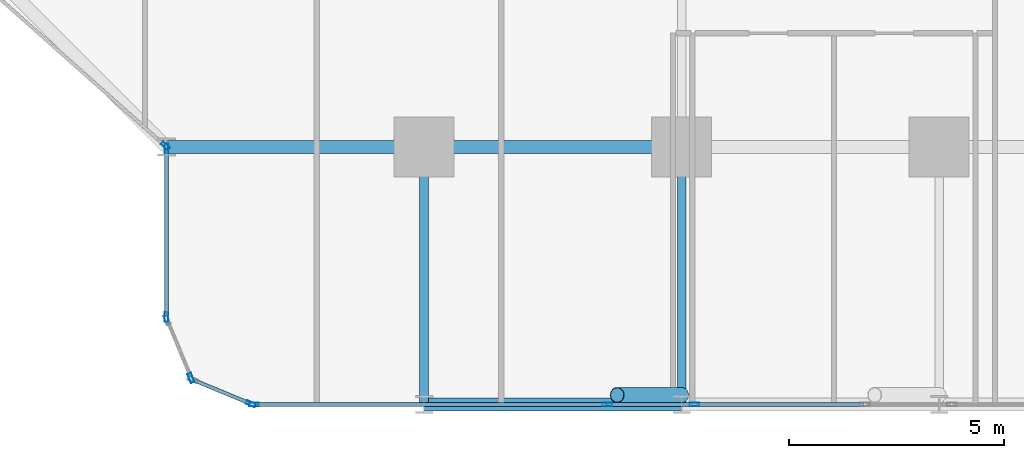
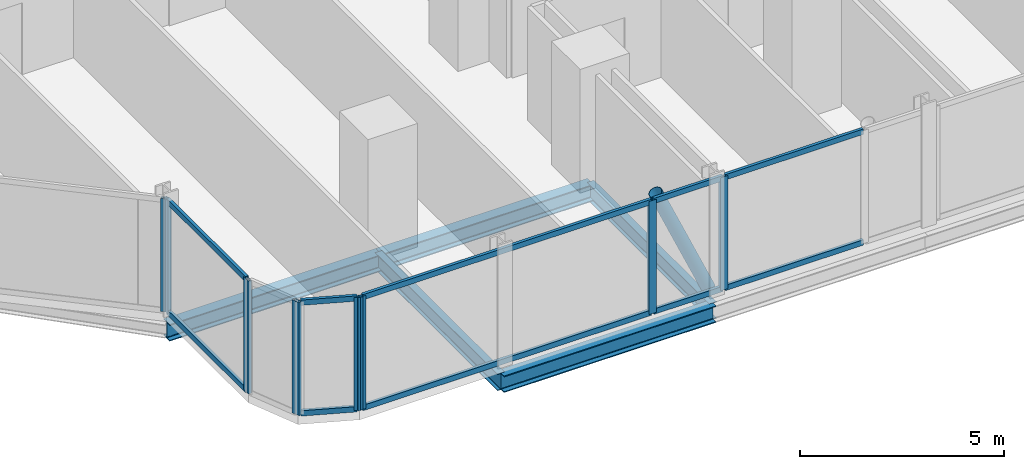
# One storey, part 3 of 33: 19 members, 5 beams, 7 elements without a shape of their own.
"""IFC4 building model written with IfcOpenShell, lengths in metres."""

from ifc_helpers import new_model, si_unit, direction, frame, origin, origin_2d, place, context, subcontext, project, spatial, hollow_rectangle, hollow_circle, i_section, extrude, material, layer, layer_set, material_profile, profile_set, type_object, element, aggregate, save


model = new_model("IFC4")

# Units and contexts
model_context = context("Model", 3, precision=1e-05, world=origin(), true_north=direction((0.0, 1.0)))
body_context = subcontext(model_context, "Body", "Model", "MODEL_VIEW")
ifc_project = project(units=[si_unit("LENGTHUNIT", "METRE"), si_unit("AREAUNIT", "SQUARE_METRE"), si_unit("VOLUMEUNIT", "CUBIC_METRE"), si_unit("PLANEANGLEUNIT", "RADIAN"), si_unit("MASSUNIT", "GRAM", prefix="KILO")], contexts=[model_context])

# Site, building, storey
site_placement = place(None, origin())
site = spatial("IfcSite", under=ifc_project, at=site_placement, CompositionType="ELEMENT")
building_placement = place(site_placement, origin())
building = spatial("IfcBuilding", under=site, at=building_placement, Name="Keshet Zoharim Tower", CompositionType="ELEMENT")
storey_placement = place(building_placement, frame((0.0, 0.0, 49.89990234375)))
storey = spatial("IfcBuildingStorey", under=building, at=storey_placement, Name="L11", CompositionType="ELEMENT", Elevation=49.89990234375)

# Beams
ifc_material_1 = material(Name="Steel S355", Category="steel")
ifc_material_profile_1 = material_profile(ifc_material_1, i_section(OverallWidth=0.199951171875, OverallDepth=0.5, WebThickness=0.01025390625, FlangeThickness=0.01611328125, FilletRadius=0.02099609375, at=origin_2d()), Name="IPE500")
ifc_profile_set_1 = profile_set([ifc_material_profile_1], Name="Steel S355")
beam_type_1 = type_object("IfcBeamType", Name="BM-PRI-IP500", PredefinedType="BEAM", material=ifc_profile_set_1)
for number, where, z_axis, x_axis, name in (
    (1, (27.0, 0.699951171875, -0.56494140625), (0.0, 1.0, 0.0), (-1.0, 0.0, 0.0), "L11 Primary Girder Y-004"),
    (2, (33.0, 0.699951171875, -0.56494140625), (0.0, 1.0, 0.0), (-1.0, 0.0, 0.0), "L11 Primary Girder Y-005"),
):
    element("IfcBeam", number, at=place(storey_placement, frame(where, z_axis=z_axis, x_axis=x_axis)), inside=storey, type_object=beam_type_1, Name=name, PredefinedType="BEAM", context=body_context, shape_type="SweptSolid", body=[
        extrude(i_section(OverallWidth=0.199951171875, OverallDepth=0.5, WebThickness=0.01025390625, FlangeThickness=0.01611328125, FilletRadius=0.02099609375, at=origin_2d()), origin(), (0.0, 0.0, 1.0), 6.0),
    ])
ifc_material_profile_2 = material_profile(ifc_material_1, i_section(OverallWidth=0.300048828125, OverallDepth=0.5, WebThickness=0.014404296875, FlangeThickness=0.028076171875, FilletRadius=0.027099609375, at=origin_2d()), Name="HEB500")
ifc_profile_set_2 = profile_set([ifc_material_profile_2], Name="Steel S355")
beam_type_2 = type_object("IfcBeamType", Name="BM-WEB-HB500", PredefinedType="BEAM", material=ifc_profile_set_2)
for number, where, z_axis, x_axis, name in (
    (3, (27.0, 0.699951171875, -0.56494140625), (1.0, 0.0, 0.0), (0.0, 1.0, 0.0), "L11 Primary Girder X-001"),
    (4, (21.0, 6.699951171875, -0.56494140625), (1.0, 0.0, 0.0), (0.0, 1.0, 0.0), "L11 Primary Girder X-006"),
    (5, (27.0, 6.699951171875, -0.56494140625), (1.0, 0.0, 0.0), (0.0, 1.0, 0.0), "L11 Primary Girder X-007"),
):
    element("IfcBeam", number, at=place(storey_placement, frame(where, z_axis=z_axis, x_axis=x_axis)), inside=storey, type_object=beam_type_2, Name=name, PredefinedType="BEAM", context=body_context, shape_type="SweptSolid", body=[
        extrude(i_section(OverallWidth=0.300048828125, OverallDepth=0.5, WebThickness=0.014404296875, FlangeThickness=0.028076171875, FilletRadius=0.027099609375, at=origin_2d()), origin(), (0.0, 0.0, 1.0), 6.0),
    ])

# Curtain wall, member
ifc_material_2 = material(Name="Aluminium 6063-T6", Category="aluminium")
ifc_layer = layer(ifc_material_2, 0.179931640625)
ifc_layer_set = layer_set([ifc_layer], Name="Aluminium 6063-T6")
curtain_wall_type = type_object("IfcCurtainWallType", Name="CW-SYS-01", PredefinedType="NOTDEFINED", material=ifc_layer_set)
curtain_wall_1_placement = place(storey_placement, origin())
curtain_wall_1 = element("IfcCurtainWall", 6, at=curtain_wall_1_placement, inside=storey, type_object=curtain_wall_type, Name="L11 Unitised Curtain Wall 01", PredefinedType="NOTDEFINED")
ifc_material_profile_3 = material_profile(ifc_material_2, hollow_rectangle(XDim=0.090087890625, YDim=0.219970703125, WallThickness=0.0048828125, at=origin_2d()), Name="MUL-90x220")
ifc_profile_set_3 = profile_set([ifc_material_profile_3], Name="Aluminium 6063-T6")
member_type_1 = type_object("IfcMemberType", Name="CWM-M22", PredefinedType="MULLION", material=ifc_profile_set_3)
member_1_placement = place(storey_placement, frame((20.973876953125, 6.72314453125, 0.0), z_axis=(0.0, 0.0, 1.0), x_axis=(-0.664363838836, -0.747409318679, 0.0)))
member_1 = element("IfcMember", 7, at=member_1_placement, type_object=member_type_1, Name="CW-01 mullion 1", PredefinedType="MULLION", context=body_context, shape_type="SweptSolid", body=[
    extrude(hollow_rectangle(XDim=0.090087890625, YDim=0.219970703125, WallThickness=0.0048828125, at=origin_2d()), origin(), (0.0, 0.0, 1.0), 3.385009765625),
])
aggregate(curtain_wall_1, [member_1])

curtain_wall_2_placement = place(storey_placement, origin())
curtain_wall_2 = element("IfcCurtainWall", 8, at=curtain_wall_2_placement, inside=storey, type_object=curtain_wall_type, Name="L11 Unitised Curtain Wall 26 Part 3", PredefinedType="NOTDEFINED")
member_2_placement = place(storey_placement, frame((33.297607421875, 0.699951171875, 0.0), z_axis=(0.0, 0.0, 1.0), x_axis=(0.0, -1.0, 0.0)))
member_2 = element("IfcMember", 9, at=member_2_placement, type_object=member_type_1, Name="CW-01 mullion 2", PredefinedType="MULLION", context=body_context, shape_type="SweptSolid", body=[
    extrude(hollow_rectangle(XDim=0.090087890625, YDim=0.219970703125, WallThickness=0.0048828125, at=origin_2d()), origin(), (0.0, 0.0, 1.0), 3.385009765625),
])

curtain_wall_3_placement = place(storey_placement, origin())
curtain_wall_3 = element("IfcCurtainWall", 10, at=curtain_wall_3_placement, inside=storey, type_object=curtain_wall_type, Name="L11 Unitised Curtain Wall 26 Part 4", PredefinedType="NOTDEFINED")
member_3_placement = place(storey_placement, frame((31.2724609375, 0.699951171875, 0.0), z_axis=(0.0, 0.0, 1.0), x_axis=(0.0, -1.0, 0.0)))
member_3 = element("IfcMember", 11, at=member_3_placement, type_object=member_type_1, Name="CW-01 mullion 2", PredefinedType="MULLION", context=body_context, shape_type="SweptSolid", body=[
    extrude(hollow_rectangle(XDim=0.090087890625, YDim=0.219970703125, WallThickness=0.0048828125, at=origin_2d()), origin(), (0.0, 0.0, 1.0), 3.385009765625),
])

curtain_wall_4_placement = place(storey_placement, origin())
curtain_wall_4 = element("IfcCurtainWall", 12, at=curtain_wall_4_placement, inside=storey, type_object=curtain_wall_type, Name="L11 Unitised Curtain Wall 26 Part 5", PredefinedType="NOTDEFINED")
member_4_placement = place(storey_placement, frame((23.034912109375, 0.699951171875, 0.0), z_axis=(0.0, 0.0, 1.0), x_axis=(0.0, -1.0, 0.0)))
member_4 = element("IfcMember", 13, at=member_4_placement, type_object=member_type_1, Name="CW-01 mullion 2", PredefinedType="MULLION", context=body_context, shape_type="SweptSolid", body=[
    extrude(hollow_rectangle(XDim=0.090087890625, YDim=0.219970703125, WallThickness=0.0048828125, at=origin_2d()), origin(), (0.0, 0.0, 1.0), 3.385009765625),
])

curtain_wall_5_placement = place(storey_placement, origin())
curtain_wall_5 = element("IfcCurtainWall", 14, at=curtain_wall_5_placement, inside=storey, type_object=curtain_wall_type, Name="L11 Unitised Curtain Wall 27", PredefinedType="NOTDEFINED")
member_5_placement = place(storey_placement, frame((22.9677734375, 0.71337890625, 0.0), z_axis=(0.0, 0.0, 1.0), x_axis=(-0.382851849847, -0.92380975372, 0.0)))
member_5 = element("IfcMember", 15, at=member_5_placement, type_object=member_type_1, Name="CW-01 mullion 1", PredefinedType="MULLION", context=body_context, shape_type="SweptSolid", body=[
    extrude(hollow_rectangle(XDim=0.090087890625, YDim=0.219970703125, WallThickness=0.0048828125, at=origin_2d()), origin(), (0.0, 0.0, 1.0), 3.385009765625),
])

curtain_wall_6_placement = place(storey_placement, origin())
curtain_wall_6 = element("IfcCurtainWall", 16, at=curtain_wall_6_placement, inside=storey, type_object=curtain_wall_type, Name="L11 Unitised Curtain Wall 28", PredefinedType="NOTDEFINED")
member_6_placement = place(storey_placement, frame((21.572509765625, 1.318359375, 0.0), z_axis=(0.0, 0.0, 1.0), x_axis=(-0.92380975372, -0.382851849847, 0.0)))
member_6 = element("IfcMember", 17, at=member_6_placement, type_object=member_type_1, Name="CW-01 mullion 1", PredefinedType="MULLION", context=body_context, shape_type="SweptSolid", body=[
    extrude(hollow_rectangle(XDim=0.090087890625, YDim=0.219970703125, WallThickness=0.0048828125, at=origin_2d()), origin(), (0.0, 0.0, 1.0), 3.385009765625),
])
aggregate(curtain_wall_6, [member_6])

# Curtain wall, members
curtain_wall_7_placement = place(storey_placement, origin())
curtain_wall_7 = element("IfcCurtainWall", 18, at=curtain_wall_7_placement, inside=storey, type_object=curtain_wall_type, Name="L11 Unitised Curtain Wall 29", PredefinedType="NOTDEFINED")
member_7_placement = place(storey_placement, frame((21.0, 2.735107421875, 0.0), z_axis=(0.0, 0.0, 1.0), x_axis=(-1.0, 0.0, 0.0)))
member_7 = element("IfcMember", 19, at=member_7_placement, type_object=member_type_1, Name="CW-01 mullion 1", PredefinedType="MULLION", context=body_context, shape_type="SweptSolid", body=[
    extrude(hollow_rectangle(XDim=0.090087890625, YDim=0.219970703125, WallThickness=0.0048828125, at=origin_2d()), origin(), (0.0, 0.0, 1.0), 3.385009765625),
])
member_8_placement = place(storey_placement, frame((21.0, 6.6650390625, 0.0), z_axis=(0.0, 0.0, 1.0), x_axis=(-1.0, 0.0, 0.0)))
member_8 = element("IfcMember", 20, at=member_8_placement, type_object=member_type_1, Name="CW-01 mullion 2", PredefinedType="MULLION", context=body_context, shape_type="SweptSolid", body=[
    extrude(hollow_rectangle(XDim=0.090087890625, YDim=0.219970703125, WallThickness=0.0048828125, at=origin_2d()), origin(), (0.0, 0.0, 1.0), 3.385009765625),
])

# Member
ifc_material_profile_4 = material_profile(ifc_material_2, hollow_rectangle(XDim=0.0849609375, YDim=0.159912109375, WallThickness=0.00439453125, at=origin_2d()), Name="TRN-85x160")
ifc_profile_set_4 = profile_set([ifc_material_profile_4], Name="Aluminium 6063-T6")
member_type_2 = type_object("IfcMemberType", Name="CWT-T16", PredefinedType="USERDEFINED", material=ifc_profile_set_4)
member_9_placement = place(storey_placement, frame((37.2373046875, 0.699951171875, 0.03515625), z_axis=(-1.0, 0.0, 0.0), x_axis=(0.0, -1.0, 0.0)))
member_9 = element("IfcMember", 21, at=member_9_placement, type_object=member_type_2, Name="CW-01 transom 1.1", ObjectType="TRANSOM", PredefinedType="USERDEFINED", context=body_context, shape_type="SweptSolid", body=[
    extrude(hollow_rectangle(XDim=0.0849609375, YDim=0.159912109375, WallThickness=0.00439453125, at=origin_2d()), origin(), (0.0, 0.0, 1.0), 3.90478515625),
])

member_10_placement = place(storey_placement, frame((37.2373046875, 0.699951171875, 3.35009765625), z_axis=(-1.0, 0.0, 0.0), x_axis=(0.0, -1.0, 0.0)))
member_10 = element("IfcMember", 22, at=member_10_placement, type_object=member_type_2, Name="CW-01 transom 1.2", ObjectType="TRANSOM", PredefinedType="USERDEFINED", context=body_context, shape_type="SweptSolid", body=[
    extrude(hollow_rectangle(XDim=0.0849609375, YDim=0.159912109375, WallThickness=0.00439453125, at=origin_2d()), origin(), (0.0, 0.0, 1.0), 3.90478515625),
])

aggregate(curtain_wall_2, [member_2, member_9, member_10])

member_11_placement = place(storey_placement, frame((33.2626953125, 0.699951171875, 0.03515625), z_axis=(-1.0, 0.0, 0.0), x_axis=(0.0, -1.0, 0.0)))
member_11 = element("IfcMember", 23, at=member_11_placement, type_object=member_type_2, Name="CW-01 transom 1.1", ObjectType="TRANSOM", PredefinedType="USERDEFINED", context=body_context, shape_type="SweptSolid", body=[
    extrude(hollow_rectangle(XDim=0.0849609375, YDim=0.159912109375, WallThickness=0.00439453125, at=origin_2d()), origin(), (0.0, 0.0, 1.0), 1.955322265625),
])

member_12_placement = place(storey_placement, frame((33.2626953125, 0.699951171875, 3.35009765625), z_axis=(-1.0, 0.0, 0.0), x_axis=(0.0, -1.0, 0.0)))
member_12 = element("IfcMember", 24, at=member_12_placement, type_object=member_type_2, Name="CW-01 transom 1.2", ObjectType="TRANSOM", PredefinedType="USERDEFINED", context=body_context, shape_type="SweptSolid", body=[
    extrude(hollow_rectangle(XDim=0.0849609375, YDim=0.159912109375, WallThickness=0.00439453125, at=origin_2d()), origin(), (0.0, 0.0, 1.0), 1.955322265625),
])

aggregate(curtain_wall_3, [member_3, member_11, member_12])

member_13_placement = place(storey_placement, frame((31.2373046875, 0.699951171875, 0.03515625), z_axis=(-1.0, 0.0, 0.0), x_axis=(0.0, -1.0, 0.0)))
member_13 = element("IfcMember", 25, at=member_13_placement, type_object=member_type_2, Name="CW-01 transom 1.1", ObjectType="TRANSOM", PredefinedType="USERDEFINED", context=body_context, shape_type="SweptSolid", body=[
    extrude(hollow_rectangle(XDim=0.0849609375, YDim=0.159912109375, WallThickness=0.00439453125, at=origin_2d()), origin(), (0.0, 0.0, 1.0), 8.167236328125),
])

member_14_placement = place(storey_placement, frame((31.2373046875, 0.699951171875, 3.35009765625), z_axis=(-1.0, 0.0, 0.0), x_axis=(0.0, -1.0, 0.0)))
member_14 = element("IfcMember", 26, at=member_14_placement, type_object=member_type_2, Name="CW-01 transom 1.2", ObjectType="TRANSOM", PredefinedType="USERDEFINED", context=body_context, shape_type="SweptSolid", body=[
    extrude(hollow_rectangle(XDim=0.0849609375, YDim=0.159912109375, WallThickness=0.00439453125, at=origin_2d()), origin(), (0.0, 0.0, 1.0), 8.167236328125),
])

aggregate(curtain_wall_4, [member_4, member_13, member_14])

member_15_placement = place(storey_placement, frame((22.935302734375, 0.726806640625, 0.03515625), z_axis=(-0.92379209995, 0.382894445076, 0.0), x_axis=(-0.382894445076, -0.92379209995, 0.0)))
member_15 = element("IfcMember", 27, at=member_15_placement, type_object=member_type_2, Name="CW-01 transom 1.1", ObjectType="TRANSOM", PredefinedType="USERDEFINED", context=body_context, shape_type="SweptSolid", body=[
    extrude(hollow_rectangle(XDim=0.0849609375, YDim=0.159912109375, WallThickness=0.00439453125, at=origin_2d()), origin(), (0.0, 0.0, 1.0), 1.390625),
])

member_16_placement = place(storey_placement, frame((22.935302734375, 0.726806640625, 3.35009765625), z_axis=(-0.92379209995, 0.382894445076, 0.0), x_axis=(-0.382894445076, -0.92379209995, 0.0)))
member_16 = element("IfcMember", 28, at=member_16_placement, type_object=member_type_2, Name="CW-01 transom 1.2", ObjectType="TRANSOM", PredefinedType="USERDEFINED", context=body_context, shape_type="SweptSolid", body=[
    extrude(hollow_rectangle(XDim=0.0849609375, YDim=0.159912109375, WallThickness=0.00439453125, at=origin_2d()), origin(), (0.0, 0.0, 1.0), 1.390625),
])

aggregate(curtain_wall_5, [member_5, member_15, member_16])

member_17_placement = place(storey_placement, frame((21.0, 2.77001953125, 0.03515625), z_axis=(0.0, 1.0, 0.0), x_axis=(-1.0, 0.0, 0.0)))
member_17 = element("IfcMember", 29, at=member_17_placement, type_object=member_type_2, Name="CW-01 transom 1.1", ObjectType="TRANSOM", PredefinedType="USERDEFINED", context=body_context, shape_type="SweptSolid", body=[
    extrude(hollow_rectangle(XDim=0.0849609375, YDim=0.159912109375, WallThickness=0.00439453125, at=origin_2d()), origin(), (0.0, 0.0, 1.0), 3.85986328125),
])

member_18_placement = place(storey_placement, frame((21.0, 2.77001953125, 3.35009765625), z_axis=(0.0, 1.0, 0.0), x_axis=(-1.0, 0.0, 0.0)))
member_18 = element("IfcMember", 30, at=member_18_placement, type_object=member_type_2, Name="CW-01 transom 1.2", ObjectType="TRANSOM", PredefinedType="USERDEFINED", context=body_context, shape_type="SweptSolid", body=[
    extrude(hollow_rectangle(XDim=0.0849609375, YDim=0.159912109375, WallThickness=0.00439453125, at=origin_2d()), origin(), (0.0, 0.0, 1.0), 3.85986328125),
])

aggregate(curtain_wall_7, [member_7, member_8, member_17, member_18])

ifc_material_profile_5 = material_profile(ifc_material_1, hollow_circle(Radius=0.177734375, WallThickness=0.012451171875, at=origin_2d()), Name="CHS355x12.5")
ifc_profile_set_5 = profile_set([ifc_material_profile_5], Name="Steel S355")
member_type_3 = type_object("IfcMemberType", Name="MB-BR-C355", PredefinedType="BRACE", material=ifc_profile_set_5)
member_19_placement = place(storey_placement, frame((33.0, 0.919921875, 0.0), z_axis=(-0.405134846829, 0.0, 0.91425694194), x_axis=(0.0, -1.0, 0.0)))
element("IfcMember", 31, at=member_19_placement, inside=storey, type_object=member_type_3, Name="L11 Perimeter Tube Brace 02", PredefinedType="BRACE", context=body_context, shape_type="SweptSolid", body=[
    extrude(hollow_circle(Radius=0.177734375, WallThickness=0.012451171875, at=origin_2d()), origin(), (0.0, 0.0, 1.0), 3.702392578125),
])

save(model, "model.ifc")
